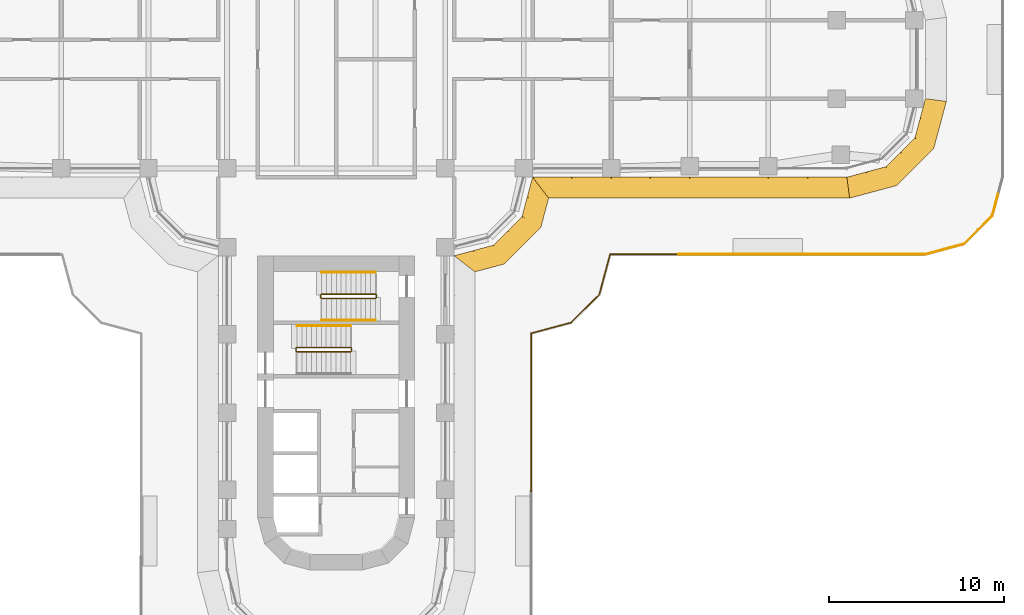
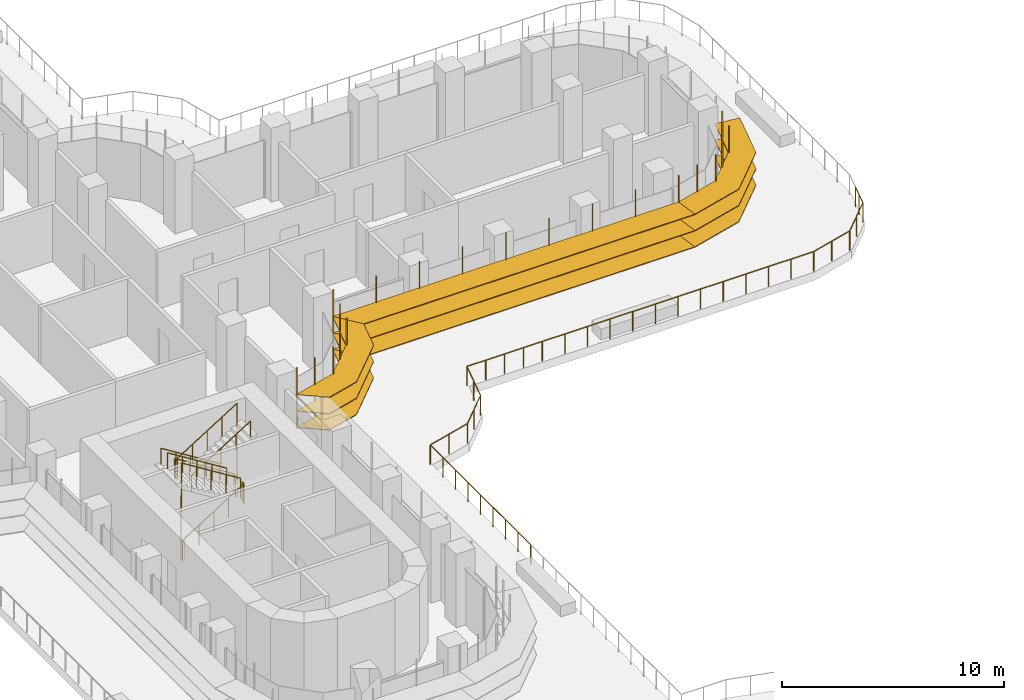
# One storey, part 22 of 26: 7 railings, 3 shading devices.
"""IFC4 building model written with IfcOpenShell, lengths in metres."""

from ifc_helpers import new_model, si_unit, direction, frame, origin, origin_2d, place, context, subcontext, project, spatial, polyline, circle, outline, extrude, faceted_brep, source, transform, mapped, material, type_object, element, save


model = new_model("IFC4")

# Units and contexts
model_context = context("Model", 3, precision=1e-05, world=origin(), true_north=direction((0.0, 1.0)))
body_context = subcontext(model_context, "Body", "Model", "MODEL_VIEW")
ifc_project = project(units=[si_unit("LENGTHUNIT", "METRE"), si_unit("AREAUNIT", "SQUARE_METRE"), si_unit("VOLUMEUNIT", "CUBIC_METRE"), si_unit("PLANEANGLEUNIT", "RADIAN"), si_unit("MASSUNIT", "GRAM", prefix="KILO")], contexts=[model_context])

# Site, building, storey
site_placement = place(None, origin())
site = spatial("IfcSite", under=ifc_project, at=site_placement, CompositionType="ELEMENT")
building_placement = place(site_placement, origin())
building = spatial("IfcBuilding", under=site, at=building_placement, Name="Zarbagh Exchange Tower", CompositionType="ELEMENT")
storey_placement = place(building_placement, frame((0.0, 0.0, 27.0)))
storey = spatial("IfcBuildingStorey", under=building, at=storey_placement, Name="L05", CompositionType="ELEMENT", Elevation=27.0)

# Railings
ifc_material_1 = material(Name="Stainless steel", Category="steel")
railing_type_1 = type_object("IfcRailingType", Name="Stair guard 1100 mm", PredefinedType="GUARDRAIL", material=ifc_material_1)
railing_1_placement = place(storey_placement, frame((0.830078125, -16.5, 2.27490234375)))
element("IfcRailing", 1, at=railing_1_placement, inside=storey, type_object=railing_type_1, Name="ST3 stair guard 1", PredefinedType="GUARDRAIL", context=body_context, shape_type="SweptSolid", body=[
    extrude(circle(Radius=0.02392578125, at=origin_2d()), frame((0.0, 0.0, 1.076171875), z_axis=(-0.847998304005, 0.0, 0.529998940003), x_axis=(0.0, -1.0, 0.0)), (0.0, 0.0, 1.0), 3.632080078125),
    extrude(circle(Radius=0.02392578125, at=origin_2d()), frame((-3.080078125, 0.0, 3.0009765625), z_axis=(-0.011914834358, -0.011914834358, -0.999858026644), x_axis=(0.707106781187, -0.707106781187, 0.0)), (0.0, 0.0, 1.0), 4.200439453125),
    extrude(circle(Radius=0.02392578125, at=origin_2d()), frame((-3.130126953125, -0.050048828125, -1.19873046875), z_axis=(0.0, -1.0, 0.0), x_axis=(1.0, 0.0, 0.0)), (0.0, 0.0, 1.0), 0.14990234375),
    extrude(circle(Radius=0.02392578125, at=origin_2d()), frame((-3.130126953125, -0.199951171875, -1.19873046875), z_axis=(0.265065253269, -0.265065253269, 0.927081885822), x_axis=(0.707106781187, 0.707106781187, 0.0)), (0.0, 0.0, 1.0), 0.188720703125),
    extrude(circle(Radius=0.02392578125, at=origin_2d()), frame((-3.080078125, -0.25, -1.02392578125), z_axis=(0.847998304005, 0.0, 0.529998940003), x_axis=(0.0, 1.0, 0.0)), (0.0, 0.0, 1.0), 3.632080078125),
    extrude(circle(Radius=0.02392578125, at=origin_2d()), frame((0.0, -0.25, 0.9013671875), z_axis=(0.705375805398, 0.708833529934, 0.0), x_axis=(-0.708833529934, 0.705375805398, 0.0)), (0.0, 0.0, 1.0), 0.070556640625),
    extrude(circle(Radius=0.02392578125, at=origin_2d()), frame((0.0498046875, -0.199951171875, 0.9013671875), z_axis=(0.0, 1.0, 0.0), x_axis=(-1.0, 0.0, 0.0)), (0.0, 0.0, 1.0), 0.14990234375),
    extrude(circle(Radius=0.02099609375, at=origin_2d()), origin(), (0.0, 0.0, 1.0), 1.052001953125),
    extrude(circle(Radius=0.02099609375, at=origin_2d()), frame((-0.77001953125, 0.0, 0.481201171875)), (0.0, 0.0, 1.0), 1.052001953125),
    extrude(circle(Radius=0.02099609375, at=origin_2d()), frame((-1.5400390625, 0.0, 0.96240234375)), (0.0, 0.0, 1.0), 1.052001953125),
    extrude(circle(Radius=0.02099609375, at=origin_2d()), frame((-2.31005859375, 0.0, 1.44384765625)), (0.0, 0.0, 1.0), 1.052001953125),
    extrude(circle(Radius=0.02099609375, at=origin_2d()), frame((-3.080078125, 0.0, 1.925048828125)), (0.0, 0.0, 1.0), 1.052001953125),
    extrude(circle(Radius=0.02099609375, at=origin_2d()), frame((-3.092529296875, -0.012451171875, 0.875)), (0.0, 0.0, 1.0), 1.052001953125),
    extrude(circle(Radius=0.02099609375, at=origin_2d()), frame((-3.10498046875, -0.02490234375, -0.1748046875)), (0.0, 0.0, 1.0), 1.052001953125),
    extrude(circle(Radius=0.02099609375, at=origin_2d()), frame((-3.11767578125, -0.03759765625, -1.224853515625)), (0.0, 0.0, 1.0), 1.052001953125),
    extrude(circle(Radius=0.02099609375, at=origin_2d()), frame((-3.130126953125, -0.050048828125, -2.27490234375)), (0.0, 0.0, 1.0), 1.052001953125),
    extrude(circle(Radius=0.02099609375, at=origin_2d()), frame((-3.130126953125, -0.199951171875, -2.27490234375)), (0.0, 0.0, 1.0), 1.052001953125),
    extrude(circle(Radius=0.02099609375, at=origin_2d()), frame((-3.080078125, -0.25, -2.099853515625)), (0.0, 0.0, 1.0), 1.052001953125),
    extrude(circle(Radius=0.02099609375, at=origin_2d()), frame((-2.31005859375, -0.25, -1.61865234375)), (0.0, 0.0, 1.0), 1.052001953125),
    extrude(circle(Radius=0.02099609375, at=origin_2d()), frame((-1.5400390625, -0.25, -1.13720703125)), (0.0, 0.0, 1.0), 1.052001953125),
    extrude(circle(Radius=0.02099609375, at=origin_2d()), frame((-0.77001953125, -0.25, -0.656005859375)), (0.0, 0.0, 1.0), 1.052001953125),
    extrude(circle(Radius=0.02099609375, at=origin_2d()), frame((0.0, -0.25, -0.1748046875)), (0.0, 0.0, 1.0), 1.052001953125),
    extrude(circle(Radius=0.02099609375, at=origin_2d()), frame((0.0498046875, -0.199951171875, -0.1748046875)), (0.0, 0.0, 1.0), 1.052001953125),
    extrude(circle(Radius=0.02099609375, at=origin_2d()), frame((0.0498046875, -0.050048828125, -0.1748046875)), (0.0, 0.0, 1.0), 1.052001953125),
])
railing_2_placement = place(storey_placement, frame((-0.8798828125, -13.5, 2.10009765625)))
element("IfcRailing", 2, at=railing_2_placement, inside=storey, type_object=railing_type_1, Name="ST4 stair guard 1", PredefinedType="GUARDRAIL", context=body_context, shape_type="SweptSolid", body=[
    extrude(circle(Radius=0.02392578125, at=origin_2d()), frame((0.0, 0.0, 1.076171875), z_axis=(0.0, -1.0, 0.0), x_axis=(1.0, 0.0, 0.0)), (0.0, 0.0, 1.0), 0.14990234375),
    extrude(circle(Radius=0.02392578125, at=origin_2d()), frame((0.0, -0.14990234375, 1.076171875), z_axis=(0.264179342666, -0.265474339444, 0.927217692888), x_axis=(0.708833529934, 0.705375805398, 0.0)), (0.0, 0.0, 1.0), 0.1884765625),
    extrude(circle(Radius=0.02392578125, at=origin_2d()), frame((0.0498046875, -0.199951171875, 1.2509765625), z_axis=(0.847998304005, 0.0, 0.529998940003), x_axis=(0.0, 1.0, 0.0)), (0.0, 0.0, 1.0), 3.632080078125),
    extrude(circle(Radius=0.02392578125, at=origin_2d()), frame((3.1298828125, -0.199951171875, 3.17578125), z_axis=(0.011914834358, 0.011914834358, -0.999858026644), x_axis=(-0.707106781187, 0.707106781187, 0.0)), (0.0, 0.0, 1.0), 4.200439453125),
    extrude(circle(Radius=0.02392578125, at=origin_2d()), frame((3.179931640625, -0.14990234375, -1.02392578125), z_axis=(0.0, 1.0, 0.0), x_axis=(-1.0, 0.0, 0.0)), (0.0, 0.0, 1.0), 0.14990234375),
    extrude(circle(Radius=0.02392578125, at=origin_2d()), frame((3.179931640625, 0.0, -1.02392578125), z_axis=(-0.265065253269, 0.265065253269, 0.927081885822), x_axis=(-0.707106781187, -0.707106781187, 0.0)), (0.0, 0.0, 1.0), 0.188720703125),
    extrude(circle(Radius=0.02392578125, at=origin_2d()), frame((3.1298828125, 0.050048828125, -0.84912109375), z_axis=(-0.847998304005, 0.0, 0.529998940003), x_axis=(0.0, -1.0, 0.0)), (0.0, 0.0, 1.0), 3.632080078125),
    extrude(circle(Radius=0.02099609375, at=origin_2d()), origin(), (0.0, 0.0, 1.0), 1.052001953125),
    extrude(circle(Radius=0.02099609375, at=origin_2d()), frame((0.0, -0.14990234375, 0.0)), (0.0, 0.0, 1.0), 1.052001953125),
    extrude(circle(Radius=0.02099609375, at=origin_2d()), frame((0.0498046875, -0.199951171875, 0.1748046875)), (0.0, 0.0, 1.0), 1.052001953125),
    extrude(circle(Radius=0.02099609375, at=origin_2d()), frame((0.81982421875, -0.199951171875, 0.656005859375)), (0.0, 0.0, 1.0), 1.052001953125),
    extrude(circle(Radius=0.02099609375, at=origin_2d()), frame((1.58984375, -0.199951171875, 1.13720703125)), (0.0, 0.0, 1.0), 1.052001953125),
    extrude(circle(Radius=0.02099609375, at=origin_2d()), frame((2.35986328125, -0.199951171875, 1.61865234375)), (0.0, 0.0, 1.0), 1.052001953125),
    extrude(circle(Radius=0.02099609375, at=origin_2d()), frame((3.1298828125, -0.199951171875, 2.099853515625)), (0.0, 0.0, 1.0), 1.052001953125),
    extrude(circle(Radius=0.02099609375, at=origin_2d()), frame((3.142333984375, -0.1875, 1.0498046875)), (0.0, 0.0, 1.0), 1.052001953125),
    extrude(circle(Radius=0.02099609375, at=origin_2d()), frame((3.15478515625, -0.1748046875, 0.0)), (0.0, 0.0, 1.0), 1.052001953125),
    extrude(circle(Radius=0.02099609375, at=origin_2d()), frame((3.16748046875, -0.162353515625, -1.050048828125)), (0.0, 0.0, 1.0), 1.052001953125),
    extrude(circle(Radius=0.02099609375, at=origin_2d()), frame((3.179931640625, -0.14990234375, -2.10009765625)), (0.0, 0.0, 1.0), 1.052001953125),
    extrude(circle(Radius=0.02099609375, at=origin_2d()), frame((3.179931640625, 0.0, -2.10009765625)), (0.0, 0.0, 1.0), 1.052001953125),
    extrude(circle(Radius=0.02099609375, at=origin_2d()), frame((3.1298828125, 0.050048828125, -1.925048828125)), (0.0, 0.0, 1.0), 1.052001953125),
    extrude(circle(Radius=0.02099609375, at=origin_2d()), frame((2.35986328125, 0.050048828125, -1.44384765625)), (0.0, 0.0, 1.0), 1.052001953125),
    extrude(circle(Radius=0.02099609375, at=origin_2d()), frame((1.58984375, 0.050048828125, -0.96240234375)), (0.0, 0.0, 1.0), 1.052001953125),
    extrude(circle(Radius=0.02099609375, at=origin_2d()), frame((0.81982421875, 0.050048828125, -0.481201171875)), (0.0, 0.0, 1.0), 1.052001953125),
    extrude(circle(Radius=0.02099609375, at=origin_2d()), frame((0.0498046875, 0.050048828125, 0.0)), (0.0, 0.0, 1.0), 1.052001953125),
])
railing_type_2 = type_object("IfcRailingType", Name="Stair handrail 900 mm", PredefinedType="HANDRAIL", material=ifc_material_1)
for number, where, name in (
    (3, (0.830078125, -15.25, 2.27490234375), "ST3 stair handrail 2"),
    (4, (2.25, -12.199951171875, 0.175048828125), "ST4 stair handrail 1"),
):
    element("IfcRailing", number, at=place(storey_placement, frame(where)), inside=storey, type_object=railing_type_2, Name=name, PredefinedType="HANDRAIL", context=body_context, shape_type="SweptSolid", body=[
        extrude(circle(Radius=0.02392578125, at=origin_2d()), frame((0.0, 0.0, 0.8759765625), z_axis=(-0.847998304005, 0.0, 0.529998940003), x_axis=(0.0, -1.0, 0.0)), (0.0, 0.0, 1.0), 3.632080078125),
        extrude(circle(Radius=0.02099609375, at=origin_2d()), origin(), (0.0, 0.0, 1.0), 0.851806640625),
        extrude(circle(Radius=0.02099609375, at=origin_2d()), frame((-0.77001953125, 0.0, 0.481201171875)), (0.0, 0.0, 1.0), 0.851806640625),
        extrude(circle(Radius=0.02099609375, at=origin_2d()), frame((-1.5400390625, 0.0, 0.96240234375)), (0.0, 0.0, 1.0), 0.851806640625),
        extrude(circle(Radius=0.02099609375, at=origin_2d()), frame((-2.31005859375, 0.0, 1.44384765625)), (0.0, 0.0, 1.0), 0.851806640625),
        extrude(circle(Radius=0.02099609375, at=origin_2d()), frame((-3.080078125, 0.0, 1.925048828125)), (0.0, 0.0, 1.0), 0.851806640625),
    ])
railing_3_placement = place(storey_placement, frame((-0.830078125, -14.949951171875, 2.27490234375)))
element("IfcRailing", 5, at=railing_3_placement, inside=storey, type_object=railing_type_2, Name="ST4 stair handrail 2", PredefinedType="HANDRAIL", context=body_context, shape_type="SweptSolid", body=[
    extrude(circle(Radius=0.02392578125, at=origin_2d()), frame((0.0, 0.0, 0.8759765625), z_axis=(0.847998304005, 0.0, 0.529998940003), x_axis=(0.0, 1.0, 0.0)), (0.0, 0.0, 1.0), 3.632080078125),
    extrude(circle(Radius=0.02099609375, at=origin_2d()), origin(), (0.0, 0.0, 1.0), 0.851806640625),
    extrude(circle(Radius=0.02099609375, at=origin_2d()), frame((0.77001953125, 0.0, 0.481201171875)), (0.0, 0.0, 1.0), 0.851806640625),
    extrude(circle(Radius=0.02099609375, at=origin_2d()), frame((1.5400390625, 0.0, 0.96240234375)), (0.0, 0.0, 1.0), 0.851806640625),
    extrude(circle(Radius=0.02099609375, at=origin_2d()), frame((2.31005859375, 0.0, 1.44384765625)), (0.0, 0.0, 1.0), 0.851806640625),
    extrude(circle(Radius=0.02099609375, at=origin_2d()), frame((3.080078125, 0.0, 1.925048828125)), (0.0, 0.0, 1.0), 0.851806640625),
])
ifc_material_2 = material(Name="Stainless steel and laminated glass", Category="steel")
railing_type_3 = type_object("IfcRailingType", Name="Terrace guard, glass balustrade 1.1 m", PredefinedType="GUARDRAIL", material=ifc_material_2)
railing_4_placement = place(storey_placement, frame((37.907470703125, -7.71923828125, 0.0)))
element("IfcRailing", 6, at=railing_4_placement, inside=storey, type_object=railing_type_3, Name="TG01 terrace guard", PredefinedType="GUARDRAIL", context=body_context, shape_type="SweptSolid", body=[
    extrude(circle(Radius=0.02490234375, at=origin_2d()), frame((0.0, 0.0, 1.0751953125), z_axis=(-0.258799497043, -0.965931063964, 0.0), x_axis=(0.965931063964, -0.258799497043, 0.0)), (0.0, 0.0, 1.0), 1.282958984375),
    extrude(circle(Radius=0.02490234375, at=origin_2d()), frame((-0.33203125, -1.2392578125, 1.0751953125), z_axis=(-0.707106781187, -0.707106781187, 0.0), x_axis=(0.707106781187, -0.707106781187, 0.0)), (0.0, 0.0, 1.0), 2.28662109375),
    extrude(circle(Radius=0.02490234375, at=origin_2d()), frame((-1.948974609375, -2.856201171875, 1.0751953125), z_axis=(-0.965936192935, -0.258780353152, 0.0), x_axis=(0.258780353152, -0.965936192935, 0.0)), (0.0, 0.0, 1.0), 2.29736328125),
    extrude(circle(Radius=0.02490234375, at=origin_2d()), frame((-4.16796875, -3.45068359375, 1.0751953125), z_axis=(-1.0, 0.0, 0.0), x_axis=(0.0, -1.0, 0.0)), (0.0, 0.0, 1.0), 14.133056640625),
    extrude(circle(Radius=0.02490234375, at=origin_2d()), origin(), (0.0, 0.0, 1.0), 1.050048828125),
    extrude(circle(Radius=0.02490234375, at=origin_2d()), frame((-0.166015625, -0.61962890625, 0.0)), (0.0, 0.0, 1.0), 1.050048828125),
    extrude(circle(Radius=0.02490234375, at=origin_2d()), frame((-0.33203125, -1.2392578125, 0.0)), (0.0, 0.0, 1.0), 1.050048828125),
    extrude(circle(Radius=0.02490234375, at=origin_2d()), frame((-1.140625, -2.0478515625, 0.0)), (0.0, 0.0, 1.0), 1.050048828125),
    extrude(circle(Radius=0.02490234375, at=origin_2d()), frame((-1.948974609375, -2.856201171875, 0.0)), (0.0, 0.0, 1.0), 1.050048828125),
    extrude(circle(Radius=0.02490234375, at=origin_2d()), frame((-3.05859375, -3.1533203125, 0.0)), (0.0, 0.0, 1.0), 1.050048828125),
    extrude(circle(Radius=0.02490234375, at=origin_2d()), frame((-4.16796875, -3.45068359375, 0.0)), (0.0, 0.0, 1.0), 1.050048828125),
    extrude(circle(Radius=0.02490234375, at=origin_2d()), frame((-5.345703125, -3.45068359375, 0.0)), (0.0, 0.0, 1.0), 1.050048828125),
    extrude(circle(Radius=0.02490234375, at=origin_2d()), frame((-6.5234375, -3.45068359375, 0.0)), (0.0, 0.0, 1.0), 1.050048828125),
    extrude(circle(Radius=0.02490234375, at=origin_2d()), frame((-7.701171875, -3.45068359375, 0.0)), (0.0, 0.0, 1.0), 1.050048828125),
    extrude(circle(Radius=0.02490234375, at=origin_2d()), frame((-8.87890625, -3.45068359375, 0.0)), (0.0, 0.0, 1.0), 1.050048828125),
    extrude(circle(Radius=0.02490234375, at=origin_2d()), frame((-10.056640625, -3.45068359375, 0.0)), (0.0, 0.0, 1.0), 1.050048828125),
    extrude(circle(Radius=0.02490234375, at=origin_2d()), frame((-11.234375, -3.45068359375, 0.0)), (0.0, 0.0, 1.0), 1.050048828125),
    extrude(circle(Radius=0.02490234375, at=origin_2d()), frame((-12.412353515625, -3.45068359375, 0.0)), (0.0, 0.0, 1.0), 1.050048828125),
    extrude(circle(Radius=0.02490234375, at=origin_2d()), frame((-13.590087890625, -3.45068359375, 0.0)), (0.0, 0.0, 1.0), 1.050048828125),
    extrude(circle(Radius=0.02490234375, at=origin_2d()), frame((-14.767822265625, -3.45068359375, 0.0)), (0.0, 0.0, 1.0), 1.050048828125),
    extrude(circle(Radius=0.02490234375, at=origin_2d()), frame((-15.945556640625, -3.45068359375, 0.0)), (0.0, 0.0, 1.0), 1.050048828125),
    extrude(circle(Radius=0.02490234375, at=origin_2d()), frame((-17.123291015625, -3.45068359375, 0.0)), (0.0, 0.0, 1.0), 1.050048828125),
    extrude(circle(Radius=0.02490234375, at=origin_2d()), frame((-18.301025390625, -3.45068359375, 0.0)), (0.0, 0.0, 1.0), 1.050048828125),
])
railing_5_placement = place(storey_placement, frame((19.6064453125, -11.169921875, 0.0)))
element("IfcRailing", 7, at=railing_5_placement, inside=storey, type_object=railing_type_3, Name="TG01 terrace guard", PredefinedType="GUARDRAIL", context=body_context, shape_type="SweptSolid", body=[
    extrude(circle(Radius=0.02490234375, at=origin_2d()), frame((0.0, 0.0, 1.0751953125), z_axis=(-1.0, 0.0, 0.0), x_axis=(0.0, -1.0, 0.0)), (0.0, 0.0, 1.0), 3.917724609375),
    extrude(circle(Radius=0.02490234375, at=origin_2d()), frame((-3.917724609375, 0.0, 1.0751953125), z_axis=(-0.258842529128, -0.965919533457, 0.0), x_axis=(0.965919533457, -0.258842529128, 0.0)), (0.0, 0.0, 1.0), 2.369384765625),
    extrude(circle(Radius=0.02490234375, at=origin_2d()), frame((-4.531005859375, -2.28857421875, 1.0751953125), z_axis=(-0.707106781187, -0.707106781187, 0.0), x_axis=(0.707106781187, -0.707106781187, 0.0)), (0.0, 0.0, 1.0), 2.28662109375),
    extrude(circle(Radius=0.02490234375, at=origin_2d()), frame((-6.14794921875, -3.905517578125, 1.0751953125), z_axis=(-0.965919533457, -0.258842529128, 0.0), x_axis=(0.258842529128, -0.965919533457, 0.0)), (0.0, 0.0, 1.0), 2.369384765625),
    extrude(circle(Radius=0.02490234375, at=origin_2d()), frame((-8.4365234375, -4.518798828125, 1.0751953125), z_axis=(0.0, -1.0, 0.0), x_axis=(1.0, 0.0, 0.0)), (0.0, 0.0, 1.0), 9.056884765625),
    extrude(circle(Radius=0.02490234375, at=origin_2d()), origin(), (0.0, 0.0, 1.0), 1.050048828125),
    extrude(circle(Radius=0.02490234375, at=origin_2d()), frame((-0.9794921875, 0.0, 0.0)), (0.0, 0.0, 1.0), 1.050048828125),
    extrude(circle(Radius=0.02490234375, at=origin_2d()), frame((-1.958984375, 0.0, 0.0)), (0.0, 0.0, 1.0), 1.050048828125),
    extrude(circle(Radius=0.02490234375, at=origin_2d()), frame((-2.938232421875, 0.0, 0.0)), (0.0, 0.0, 1.0), 1.050048828125),
    extrude(circle(Radius=0.02490234375, at=origin_2d()), frame((-3.917724609375, 0.0, 0.0)), (0.0, 0.0, 1.0), 1.050048828125),
    extrude(circle(Radius=0.02490234375, at=origin_2d()), frame((-4.224365234375, -1.144287109375, 0.0)), (0.0, 0.0, 1.0), 1.050048828125),
    extrude(circle(Radius=0.02490234375, at=origin_2d()), frame((-4.531005859375, -2.28857421875, 0.0)), (0.0, 0.0, 1.0), 1.050048828125),
    extrude(circle(Radius=0.02490234375, at=origin_2d()), frame((-5.33935546875, -3.09716796875, 0.0)), (0.0, 0.0, 1.0), 1.050048828125),
    extrude(circle(Radius=0.02490234375, at=origin_2d()), frame((-6.14794921875, -3.905517578125, 0.0)), (0.0, 0.0, 1.0), 1.050048828125),
    extrude(circle(Radius=0.02490234375, at=origin_2d()), frame((-7.292236328125, -4.212158203125, 0.0)), (0.0, 0.0, 1.0), 1.050048828125),
    extrude(circle(Radius=0.02490234375, at=origin_2d()), frame((-8.4365234375, -4.518798828125, 0.0)), (0.0, 0.0, 1.0), 1.050048828125),
    extrude(circle(Radius=0.02490234375, at=origin_2d()), frame((-8.4365234375, -5.65087890625, 0.0)), (0.0, 0.0, 1.0), 1.050048828125),
    extrude(circle(Radius=0.02490234375, at=origin_2d()), frame((-8.4365234375, -6.782958984375, 0.0)), (0.0, 0.0, 1.0), 1.050048828125),
    extrude(circle(Radius=0.02490234375, at=origin_2d()), frame((-8.4365234375, -7.9150390625, 0.0)), (0.0, 0.0, 1.0), 1.050048828125),
    extrude(circle(Radius=0.02490234375, at=origin_2d()), frame((-8.4365234375, -9.04736328125, 0.0)), (0.0, 0.0, 1.0), 1.050048828125),
    extrude(circle(Radius=0.02490234375, at=origin_2d()), frame((-8.4365234375, -10.179443359375, 0.0)), (0.0, 0.0, 1.0), 1.050048828125),
    extrude(circle(Radius=0.02490234375, at=origin_2d()), frame((-8.4365234375, -11.3115234375, 0.0)), (0.0, 0.0, 1.0), 1.050048828125),
    extrude(circle(Radius=0.02490234375, at=origin_2d()), frame((-8.4365234375, -12.443603515625, 0.0)), (0.0, 0.0, 1.0), 1.050048828125),
    extrude(circle(Radius=0.02490234375, at=origin_2d()), frame((-8.4365234375, -13.57568359375, 0.0)), (0.0, 0.0, 1.0), 1.050048828125),
])

# Shading devices
ifc_material_3 = material(Name="Anodised aluminium blades and brackets", Category="aluminium")
shading_device_type = type_object("IfcShadingDeviceType", Name="SUNSHADE louvre band, 0 degree blades", PredefinedType="JALOUSIE", material=ifc_material_3)
shared_shape_1 = source(origin(), body_context, "Body", "Brep", [
    faceted_brep([(0.0, 0.0, 0.0), (0.0, 0.0, -0.0400390625), (-0.157958984375, -1.199951171875, -0.0400390625), (-0.157958984375, -1.199951171875, 0.0), (2.65087890625, -1.199951171875, 0.0), (2.65087890625, -1.199951171875, -0.0400390625), (2.329345703125, 0.0, -0.0400390625), (2.329345703125, 0.0, 0.0)], [[[0, 1, 2, 3]], [[4, 5, 6, 7]], [[0, 7, 6, 1]], [[1, 6, 5, 2]], [[2, 5, 4, 3]], [[3, 4, 7, 0]]]),
])
shared_shape_2 = source(origin(), body_context, "Body", "Brep", [
    faceted_brep([(0.0, 0.0, 0.0), (0.0, 0.0, -0.0400390625), (-0.321533203125, -1.199951171875, -0.0400390625), (-0.321533203125, -1.199951171875, 0.0), (2.65087890625, -1.199951171875, 0.0), (2.65087890625, -1.199951171875, -0.0400390625), (2.329345703125, 0.0, -0.0400390625), (2.329345703125, 0.0, 0.0)], [[[0, 1, 2, 3]], [[4, 5, 6, 7]], [[0, 7, 6, 1]], [[1, 6, 5, 2]], [[2, 5, 4, 3]], [[3, 4, 7, 0]]]),
])
shared_shape_3 = source(origin(), body_context, "Body", "Brep", [
    faceted_brep([(0.0, 0.0, 0.0), (0.0, 0.0, -0.0400390625), (-0.321533203125, -1.199951171875, -0.0400390625), (-0.321533203125, -1.199951171875, 0.0), (2.4873046875, -1.199951171875, 0.0), (2.4873046875, -1.199951171875, -0.0400390625), (2.329345703125, 0.0, -0.0400390625), (2.329345703125, 0.0, 0.0)], [[[0, 1, 2, 3]], [[4, 5, 6, 7]], [[0, 7, 6, 1]], [[1, 6, 5, 2]], [[2, 5, 4, 3]], [[3, 4, 7, 0]]]),
])
shared_shape_4 = source(origin(), body_context, "Body", "SweptSolid", [
    extrude(outline(polyline([(0.0, -0.012451171875), (0.06005859375, -0.012451171875), (0.06005859375, 0.012451171875), (0.0, 0.012451171875), (0.0, -0.012451171875)])), origin(), (0.0, 0.0, 1.0), 3.35009765625),
])
placement = place(storey_placement, origin())
element("IfcShadingDevice", 8, at=placement, inside=storey, type_object=shading_device_type, Name="SS05 sunshade band", PredefinedType="JALOUSIE", context=body_context, shape_type="MappedRepresentation", body=[
    mapped(shared_shape_1, transform((29.25, -6.75, 2.699951171875), x_axis=(0.965924289636, 0.258824779902, 0.0), y_axis=(-0.258824779902, 0.965924289636, 0.0), z_axis=(0.0, 0.0, 1.0))),
    mapped(shared_shape_1, transform((29.25, -6.75, 1.800048828125), x_axis=(0.965924289636, 0.258824779902, 0.0), y_axis=(-0.258824779902, 0.965924289636, 0.0), z_axis=(0.0, 0.0, 1.0))),
    mapped(shared_shape_1, transform((29.25, -6.75, 0.89990234375), x_axis=(0.965924289636, 0.258824779902, 0.0), y_axis=(-0.258824779902, 0.965924289636, 0.0), z_axis=(0.0, 0.0, 1.0))),
    mapped(shared_shape_2, transform((31.5, -6.147216796875, 2.699951171875), x_axis=(0.707106781187, 0.707106781187, 0.0), y_axis=(-0.707106781187, 0.707106781187, 0.0), z_axis=(0.0, 0.0, 1.0))),
    mapped(shared_shape_2, transform((31.5, -6.147216796875, 1.800048828125), x_axis=(0.707106781187, 0.707106781187, 0.0), y_axis=(-0.707106781187, 0.707106781187, 0.0), z_axis=(0.0, 0.0, 1.0))),
    mapped(shared_shape_2, transform((31.5, -6.147216796875, 0.89990234375), x_axis=(0.707106781187, 0.707106781187, 0.0), y_axis=(-0.707106781187, 0.707106781187, 0.0), z_axis=(0.0, 0.0, 1.0))),
    mapped(shared_shape_3, transform((33.147216796875, -4.5, 2.699951171875), x_axis=(0.258824779902, 0.965924289636, 0.0), y_axis=(-0.965924289636, 0.258824779902, 0.0), z_axis=(0.0, 0.0, 1.0))),
    mapped(shared_shape_3, transform((33.147216796875, -4.5, 1.800048828125), x_axis=(0.258824779902, 0.965924289636, 0.0), y_axis=(-0.965924289636, 0.258824779902, 0.0), z_axis=(0.0, 0.0, 1.0))),
    mapped(shared_shape_3, transform((33.147216796875, -4.5, 0.89990234375), x_axis=(0.258824779902, 0.965924289636, 0.0), y_axis=(-0.965924289636, 0.258824779902, 0.0), z_axis=(0.0, 0.0, 1.0))),
    mapped(shared_shape_4, transform((29.25, -6.75, 0.830078125), x_axis=(0.130529263012, -0.991444457092, 0.0), y_axis=(0.991444457092, 0.130529263012, 0.0), z_axis=(0.0, 0.0, 1.0))),
    mapped(shared_shape_4, transform((30.375, -6.448486328125, 0.830078125), x_axis=(0.258825058029, -0.96592421511, 0.0), y_axis=(0.96592421511, 0.258825058029, 0.0), z_axis=(0.0, 0.0, 1.0))),
    mapped(shared_shape_4, transform((31.5, -6.147216796875, 0.830078125), x_axis=(0.50000275701, -0.866023812018, 0.0), y_axis=(0.866023812018, 0.50000275701, 0.0), z_axis=(0.0, 0.0, 1.0))),
    mapped(shared_shape_4, transform((32.323486328125, -5.323486328125, 0.830078125), x_axis=(0.707106781187, -0.707106781187, 0.0), y_axis=(0.707106781187, 0.707106781187, 0.0), z_axis=(0.0, 0.0, 1.0))),
    mapped(shared_shape_4, transform((33.147216796875, -4.5, 0.830078125), x_axis=(0.866023812018, -0.50000275701, 0.0), y_axis=(0.50000275701, 0.866023812018, 0.0), z_axis=(0.0, 0.0, 1.0))),
    mapped(shared_shape_4, transform((33.448486328125, -3.375, 0.830078125), x_axis=(0.96592421511, -0.258825058029, 0.0), y_axis=(0.258825058029, 0.96592421511, 0.0), z_axis=(0.0, 0.0, 1.0))),
])
shared_shape_5 = source(origin(), body_context, "Body", "Brep", [
    faceted_brep([(0.0, 0.0, 0.0), (0.0, 0.0, -0.0400390625), (0.9208984375, -1.199951171875, -0.0400390625), (0.9208984375, -1.199951171875, 0.0), (2.65087890625, -1.199951171875, 0.0), (2.65087890625, -1.199951171875, -0.0400390625), (2.329345703125, 0.0, -0.0400390625), (2.329345703125, 0.0, 0.0)], [[[0, 1, 2, 3]], [[4, 5, 6, 7]], [[0, 7, 6, 1]], [[1, 6, 5, 2]], [[2, 5, 4, 3]], [[3, 4, 7, 0]]]),
])
shared_shape_6 = source(origin(), body_context, "Body", "Brep", [
    faceted_brep([(0.0, 0.0, 0.0), (0.0, 0.0, -0.0400390625), (-0.321533203125, -1.199951171875, -0.0400390625), (-0.321533203125, -1.199951171875, 0.0), (1.40869140625, -1.199951171875, 0.0), (1.40869140625, -1.199951171875, -0.0400390625), (2.329345703125, 0.0, -0.0400390625), (2.329345703125, 0.0, 0.0)], [[[0, 1, 2, 3]], [[4, 5, 6, 7]], [[0, 7, 6, 1]], [[1, 6, 5, 2]], [[2, 5, 4, 3]], [[3, 4, 7, 0]]]),
])
element("IfcShadingDevice", 9, at=placement, inside=storey, type_object=shading_device_type, Name="SS03 sunshade band", PredefinedType="JALOUSIE", context=body_context, shape_type="MappedRepresentation", body=[
    mapped(shared_shape_5, transform((6.75, -11.25, 2.699951171875), x_axis=(0.965924289636, 0.258824779902, 0.0), y_axis=(-0.258824779902, 0.965924289636, 0.0), z_axis=(0.0, 0.0, 1.0))),
    mapped(shared_shape_5, transform((6.75, -11.25, 1.800048828125), x_axis=(0.965924289636, 0.258824779902, 0.0), y_axis=(-0.258824779902, 0.965924289636, 0.0), z_axis=(0.0, 0.0, 1.0))),
    mapped(shared_shape_5, transform((6.75, -11.25, 0.89990234375), x_axis=(0.965924289636, 0.258824779902, 0.0), y_axis=(-0.258824779902, 0.965924289636, 0.0), z_axis=(0.0, 0.0, 1.0))),
    mapped(shared_shape_2, transform((9.0, -10.647216796875, 2.699951171875), x_axis=(0.707106781187, 0.707106781187, 0.0), y_axis=(-0.707106781187, 0.707106781187, 0.0), z_axis=(0.0, 0.0, 1.0))),
    mapped(shared_shape_2, transform((9.0, -10.647216796875, 1.800048828125), x_axis=(0.707106781187, 0.707106781187, 0.0), y_axis=(-0.707106781187, 0.707106781187, 0.0), z_axis=(0.0, 0.0, 1.0))),
    mapped(shared_shape_2, transform((9.0, -10.647216796875, 0.89990234375), x_axis=(0.707106781187, 0.707106781187, 0.0), y_axis=(-0.707106781187, 0.707106781187, 0.0), z_axis=(0.0, 0.0, 1.0))),
    mapped(shared_shape_6, transform((10.647216796875, -9.0, 2.699951171875), x_axis=(0.258824779902, 0.965924289636, 0.0), y_axis=(-0.965924289636, 0.258824779902, 0.0), z_axis=(0.0, 0.0, 1.0))),
    mapped(shared_shape_6, transform((10.647216796875, -9.0, 1.800048828125), x_axis=(0.258824779902, 0.965924289636, 0.0), y_axis=(-0.965924289636, 0.258824779902, 0.0), z_axis=(0.0, 0.0, 1.0))),
    mapped(shared_shape_6, transform((10.647216796875, -9.0, 0.89990234375), x_axis=(0.258824779902, 0.965924289636, 0.0), y_axis=(-0.965924289636, 0.258824779902, 0.0), z_axis=(0.0, 0.0, 1.0))),
    mapped(shared_shape_4, transform((6.75, -11.25, 0.830078125), x_axis=(0.793355287, -0.608758892, 0.0), y_axis=(0.608758892, 0.793355287, 0.0), z_axis=(0.0, 0.0, 1.0))),
    mapped(shared_shape_4, transform((7.875, -10.948486328125, 0.830078125), x_axis=(0.258825058029, -0.96592421511, 0.0), y_axis=(0.96592421511, 0.258825058029, 0.0), z_axis=(0.0, 0.0, 1.0))),
    mapped(shared_shape_4, transform((9.0, -10.647216796875, 0.830078125), x_axis=(0.50000275701, -0.866023812018, 0.0), y_axis=(0.866023812018, 0.50000275701, 0.0), z_axis=(0.0, 0.0, 1.0))),
    mapped(shared_shape_4, transform((9.823486328125, -9.823486328125, 0.830078125), x_axis=(0.707106781187, -0.707106781187, 0.0), y_axis=(0.707106781187, 0.707106781187, 0.0), z_axis=(0.0, 0.0, 1.0))),
    mapped(shared_shape_4, transform((10.647216796875, -9.0, 0.830078125), x_axis=(0.866023812018, -0.50000275701, 0.0), y_axis=(0.50000275701, 0.866023812018, 0.0), z_axis=(0.0, 0.0, 1.0))),
    mapped(shared_shape_4, transform((10.948486328125, -7.875, 0.830078125), x_axis=(0.96592421511, -0.258825058029, 0.0), y_axis=(0.258825058029, 0.96592421511, 0.0), z_axis=(0.0, 0.0, 1.0))),
])
shared_shape_7 = source(origin(), body_context, "Body", "Brep", [
    faceted_brep([(0.0, 0.0, 0.0), (0.0, 0.0, -0.0400390625), (0.9208984375, -1.199951171875, -0.0400390625), (0.9208984375, -1.199951171875, 0.0), (18.157958984375, -1.199951171875, 0.0), (18.157958984375, -1.199951171875, -0.0400390625), (18.0, 0.0, -0.0400390625), (18.0, 0.0, 0.0)], [[[0, 1, 2, 3]], [[4, 5, 6, 7]], [[0, 7, 6, 1]], [[1, 6, 5, 2]], [[2, 5, 4, 3]], [[3, 4, 7, 0]]]),
])
element("IfcShadingDevice", 10, at=placement, inside=storey, type_object=shading_device_type, Name="SS04 sunshade band", PredefinedType="JALOUSIE", context=body_context, shape_type="MappedRepresentation", body=[
    mapped(shared_shape_7, transform((11.25, -6.75, 2.699951171875), x_axis=(1.0, 0.0, 0.0), y_axis=(0.0, 1.0, 0.0), z_axis=(0.0, 0.0, 1.0))),
    mapped(shared_shape_7, transform((11.25, -6.75, 1.800048828125), x_axis=(1.0, 0.0, 0.0), y_axis=(0.0, 1.0, 0.0), z_axis=(0.0, 0.0, 1.0))),
    mapped(shared_shape_7, transform((11.25, -6.75, 0.89990234375), x_axis=(1.0, 0.0, 0.0), y_axis=(0.0, 1.0, 0.0), z_axis=(0.0, 0.0, 1.0))),
    mapped(shared_shape_4, transform((11.25, -6.75, 0.830078125), x_axis=(0.608758892, -0.793355287, 0.0), y_axis=(0.793355287, 0.608758892, 0.0), z_axis=(0.0, 0.0, 1.0))),
    mapped(shared_shape_4, transform((13.5, -6.75, 0.830078125), x_axis=(0.0, -1.0, 0.0), y_axis=(1.0, 0.0, 0.0), z_axis=(0.0, 0.0, 1.0))),
    mapped(shared_shape_4, transform((15.75, -6.75, 0.830078125), x_axis=(0.0, -1.0, 0.0), y_axis=(1.0, 0.0, 0.0), z_axis=(0.0, 0.0, 1.0))),
    mapped(shared_shape_4, transform((18.0, -6.75, 0.830078125), x_axis=(0.0, -1.0, 0.0), y_axis=(1.0, 0.0, 0.0), z_axis=(0.0, 0.0, 1.0))),
    mapped(shared_shape_4, transform((20.25, -6.75, 0.830078125), x_axis=(0.0, -1.0, 0.0), y_axis=(1.0, 0.0, 0.0), z_axis=(0.0, 0.0, 1.0))),
    mapped(shared_shape_4, transform((22.5, -6.75, 0.830078125), x_axis=(0.0, -1.0, 0.0), y_axis=(1.0, 0.0, 0.0), z_axis=(0.0, 0.0, 1.0))),
    mapped(shared_shape_4, transform((24.75, -6.75, 0.830078125), x_axis=(0.0, -1.0, 0.0), y_axis=(1.0, 0.0, 0.0), z_axis=(0.0, 0.0, 1.0))),
    mapped(shared_shape_4, transform((27.0, -6.75, 0.830078125), x_axis=(0.0, -1.0, 0.0), y_axis=(1.0, 0.0, 0.0), z_axis=(0.0, 0.0, 1.0))),
])

save(model, "model.ifc")
